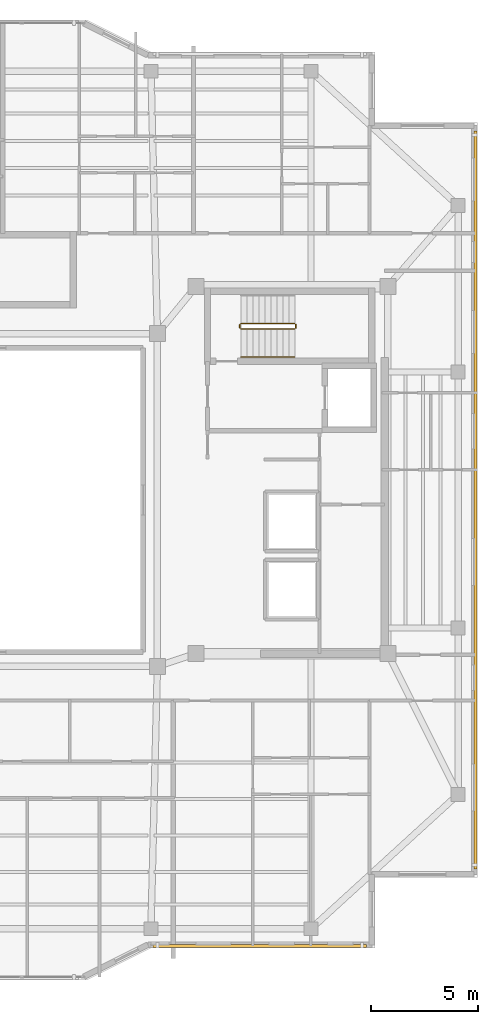
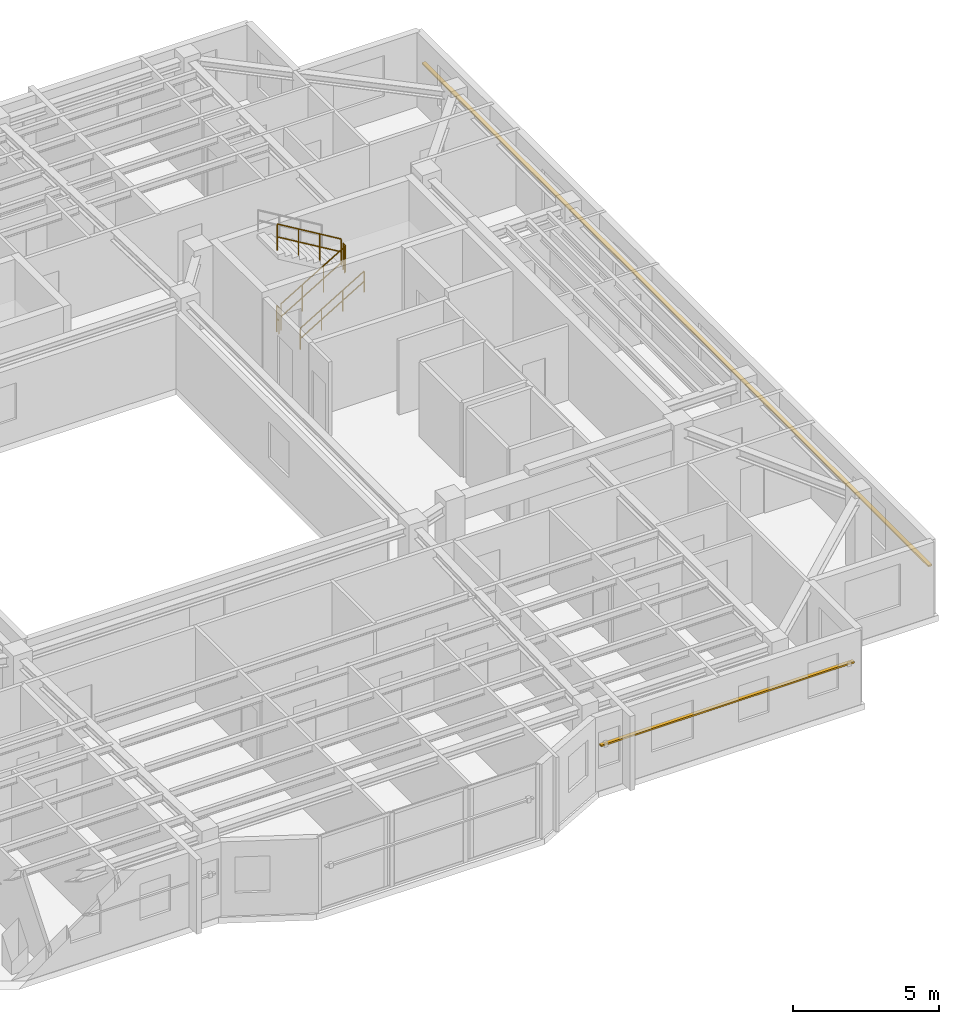
# One storey, part 14 of 15: 5 railings, 2 shading devices.
"""IFC4 building model written with IfcOpenShell, lengths in metres."""

from ifc_helpers import new_model, si_unit, direction, frame, origin, origin_2d, place, context, subcontext, project, spatial, rectangle, circle, extrude, material, material_profile, profile_set, type_object, element, save


model = new_model("IFC4")

# Units and contexts
model_context = context("Model", 3, precision=1e-05, world=origin(), true_north=direction((0.0, 1.0)))
body_context = subcontext(model_context, "Body", "Model", "MODEL_VIEW")
ifc_project = project(units=[si_unit("LENGTHUNIT", "METRE"), si_unit("AREAUNIT", "SQUARE_METRE"), si_unit("VOLUMEUNIT", "CUBIC_METRE"), si_unit("PLANEANGLEUNIT", "RADIAN"), si_unit("MASSUNIT", "GRAM", prefix="KILO")], contexts=[model_context])

# Site, building, storey
site_placement = place(None, origin())
site = spatial("IfcSite", under=ifc_project, at=site_placement, CompositionType="ELEMENT")
building_placement = place(site_placement, origin())
building = spatial("IfcBuilding", under=site, at=building_placement, Name="Tarnavaz Court Tower", CompositionType="ELEMENT")
storey_placement = place(building_placement, frame((0.0, 0.0, 244.85009765625)))
storey = spatial("IfcBuildingStorey", under=building, at=storey_placement, Name="L66", CompositionType="ELEMENT", Elevation=244.85009765625)

# Railings
ifc_material_1 = material(Name="Brushed Stainless Steel", Category="steel")
railing_type_1 = type_object("IfcRailingType", Name="RL-HANDRAIL-900", PredefinedType="HANDRAIL", material=ifc_material_1)
railing_1_placement = place(storey_placement, frame((11.719970703125, 6.699951171875, 0.16748046875)))
element("IfcRailing", 1, at=railing_1_placement, inside=storey, type_object=railing_type_1, Name="L66 ST-E1 stair handrail 1", PredefinedType="HANDRAIL", context=body_context, shape_type="SweptSolid", body=[
    extrude(circle(Radius=0.02392578125, at=origin_2d()), frame((0.0, 0.0, 0.8759765625), z_axis=(0.858196387827, 0.0, 0.513321497621), x_axis=(0.0, 1.0, 0.0)), (0.0, 0.0, 1.0), 2.9365234375),
    extrude(circle(Radius=0.02392578125, at=origin_2d()), frame((0.0, 0.0, 0.449951171875), z_axis=(0.858196387827, 0.0, 0.513321497621), x_axis=(0.0, 1.0, 0.0)), (0.0, 0.0, 1.0), 2.9365234375),
    extrude(circle(Radius=0.02099609375, at=origin_2d()), origin(), (0.0, 0.0, 1.0), 0.851806640625),
    extrude(circle(Radius=0.02099609375, at=origin_2d()), frame((0.840087890625, 0.0, 0.50244140625)), (0.0, 0.0, 1.0), 0.851806640625),
    extrude(circle(Radius=0.02099609375, at=origin_2d()), frame((1.679931640625, 0.0, 1.0048828125)), (0.0, 0.0, 1.0), 0.851806640625),
    extrude(circle(Radius=0.02099609375, at=origin_2d()), frame((2.52001953125, 0.0, 1.50732421875)), (0.0, 0.0, 1.0), 0.851806640625),
])
ifc_material_2 = material(Name="Galvanized Painted Tubular Steel", Category="steel")
railing_type_2 = type_object("IfcRailingType", Name="RL-STGUARD-1120", PredefinedType="GUARDRAIL", material=ifc_material_2)
railing_2_placement = place(storey_placement, frame((11.719970703125, 8.02001953125, 0.16748046875)))
element("IfcRailing", 2, at=railing_2_placement, inside=storey, type_object=railing_type_2, Name="L66 ST-E1 stair guard 1", PredefinedType="GUARDRAIL", context=body_context, shape_type="SweptSolid", body=[
    extrude(circle(Radius=0.02392578125, at=origin_2d()), frame((0.0, 0.0, 1.09619140625), z_axis=(0.858196387827, 0.0, 0.513321497621), x_axis=(0.0, 1.0, 0.0)), (0.0, 0.0, 1.0), 2.9365234375),
    extrude(circle(Radius=0.02392578125, at=origin_2d()), frame((0.0, 0.0, 0.56005859375), z_axis=(0.858196387827, 0.0, 0.513321497621), x_axis=(0.0, 1.0, 0.0)), (0.0, 0.0, 1.0), 2.9365234375),
    extrude(circle(Radius=0.02099609375, at=origin_2d()), origin(), (0.0, 0.0, 1.0), 1.072021484375),
    extrude(circle(Radius=0.02099609375, at=origin_2d()), frame((0.840087890625, 0.0, 0.50244140625)), (0.0, 0.0, 1.0), 1.072021484375),
    extrude(circle(Radius=0.02099609375, at=origin_2d()), frame((1.679931640625, 0.0, 1.0048828125)), (0.0, 0.0, 1.0), 1.072021484375),
    extrude(circle(Radius=0.02099609375, at=origin_2d()), frame((2.52001953125, 0.0, 1.50732421875)), (0.0, 0.0, 1.0), 1.072021484375),
])
railing_3_placement = place(storey_placement, frame((14.2900390625, 8.070068359375, 1.6748046875)))
element("IfcRailing", 3, at=railing_3_placement, inside=storey, type_object=railing_type_2, Name="L66 ST-E1 stair guard 2", PredefinedType="GUARDRAIL", context=body_context, shape_type="SweptSolid", body=[
    extrude(circle(Radius=0.02392578125, at=origin_2d()), frame((0.0, 0.0, 1.09619140625), z_axis=(0.0, 1.0, 0.0), x_axis=(-1.0, 0.0, 0.0)), (0.0, 0.0, 1.0), 0.14990234375),
    extrude(circle(Radius=0.02392578125, at=origin_2d()), frame((0.0, 0.0, 0.56005859375), z_axis=(0.0, 1.0, 0.0), x_axis=(-1.0, 0.0, 0.0)), (0.0, 0.0, 1.0), 0.14990234375),
    extrude(circle(Radius=0.02099609375, at=origin_2d()), origin(), (0.0, 0.0, 1.0), 1.072021484375),
    extrude(circle(Radius=0.02099609375, at=origin_2d()), frame((0.0, 0.14990234375, 0.0)), (0.0, 0.0, 1.0), 1.072021484375),
])
railing_4_placement = place(storey_placement, frame((14.239990234375, 8.27001953125, 1.84228515625)))
element("IfcRailing", 4, at=railing_4_placement, inside=storey, type_object=railing_type_2, Name="L66 ST-E1 stair guard 3", PredefinedType="GUARDRAIL", context=body_context, shape_type="SweptSolid", body=[
    extrude(circle(Radius=0.02392578125, at=origin_2d()), frame((0.0, 0.0, 1.09619140625), z_axis=(-0.858159760407, 0.0, 0.513382728203), x_axis=(0.0, -1.0, 0.0)), (0.0, 0.0, 1.0), 2.9365234375),
    extrude(circle(Radius=0.02392578125, at=origin_2d()), frame((0.0, 0.0, 0.56005859375), z_axis=(-0.858159760407, 0.0, 0.513382728203), x_axis=(0.0, -1.0, 0.0)), (0.0, 0.0, 1.0), 2.9365234375),
    extrude(circle(Radius=0.02099609375, at=origin_2d()), origin(), (0.0, 0.0, 1.0), 1.072021484375),
    extrude(circle(Radius=0.02099609375, at=origin_2d()), frame((-0.840087890625, 0.0, 0.50244140625)), (0.0, 0.0, 1.0), 1.072021484375),
    extrude(circle(Radius=0.02099609375, at=origin_2d()), frame((-1.679931640625, 0.0, 1.005126953125)), (0.0, 0.0, 1.0), 1.072021484375),
    extrude(circle(Radius=0.02099609375, at=origin_2d()), frame((-2.52001953125, 0.0, 1.507568359375)), (0.0, 0.0, 1.0), 1.072021484375),
])
railing_5_placement = place(storey_placement, frame((11.669921875, 8.070068359375, 0.0)))
element("IfcRailing", 5, at=railing_5_placement, inside=storey, type_object=railing_type_2, Name="L66 ST-E1 stair guard 4", PredefinedType="GUARDRAIL", context=body_context, shape_type="SweptSolid", body=[
    extrude(circle(Radius=0.02392578125, at=origin_2d()), frame((0.0, 0.0, 1.09619140625), z_axis=(0.0, 1.0, 0.0), x_axis=(-1.0, 0.0, 0.0)), (0.0, 0.0, 1.0), 0.14990234375),
    extrude(circle(Radius=0.02392578125, at=origin_2d()), frame((0.0, 0.0, 0.56005859375), z_axis=(0.0, 1.0, 0.0), x_axis=(-1.0, 0.0, 0.0)), (0.0, 0.0, 1.0), 0.14990234375),
    extrude(circle(Radius=0.02099609375, at=origin_2d()), origin(), (0.0, 0.0, 1.0), 1.072021484375),
    extrude(circle(Radius=0.02099609375, at=origin_2d()), frame((0.0, 0.14990234375, 0.0)), (0.0, 0.0, 1.0), 1.072021484375),
])

# Shading devices
ifc_material_3 = material(Name="Kiln-Fired Khorasan Terracotta Ceramic", Category="masonry")
ifc_material_profile = material_profile(ifc_material_3, rectangle(XDim=0.14990234375, YDim=0.06494140625, at=origin_2d()), Name="TC BAGUETTE 150X65")
ifc_profile_set = profile_set([ifc_material_profile], Name="Kiln-Fired Khorasan Terracotta Ceramic")
shading_device_type = type_object("IfcShadingDeviceType", Name="SD-BAG-150", PredefinedType="USERDEFINED", material=ifc_profile_set)
shading_device_1_placement = place(storey_placement, frame((22.7099609375, 17.300048828125, 1.849853515625), z_axis=(0.0, -1.0, 0.0), x_axis=(1.0, 0.0, 0.0)))
element("IfcShadingDevice", 6, at=shading_device_1_placement, inside=storey, type_object=shading_device_type, Name="L66 Terracotta Baguette Screen FBG12", ObjectType="BAGUETTE", PredefinedType="USERDEFINED", context=body_context, shape_type="SweptSolid", body=[
    extrude(rectangle(XDim=0.14990234375, YDim=0.06494140625, at=origin_2d()), origin(), (0.0, 0.0, 1.0), 34.60009765625),
])
shading_device_2_placement = place(storey_placement, frame((17.60009765625, -20.909912109375, 1.849853515625), z_axis=(-1.0, 0.0, 0.0), x_axis=(0.0, -1.0, 0.0)))
element("IfcShadingDevice", 7, at=shading_device_2_placement, inside=storey, type_object=shading_device_type, Name="L66 Terracotta Baguette Screen FBG15", ObjectType="BAGUETTE", PredefinedType="USERDEFINED", context=body_context, shape_type="SweptSolid", body=[
    extrude(rectangle(XDim=0.14990234375, YDim=0.06494140625, at=origin_2d()), origin(), (0.0, 0.0, 1.0), 10.0),
])

save(model, "model.ifc")
